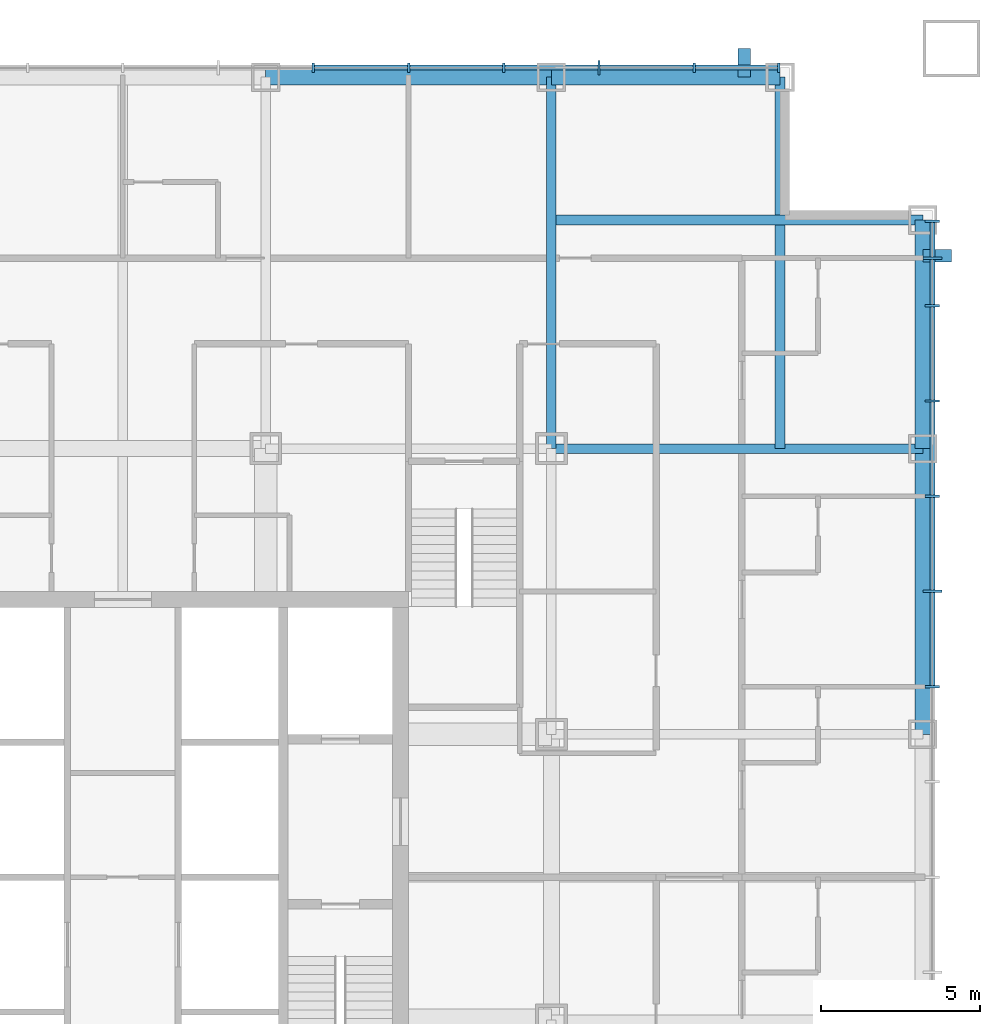
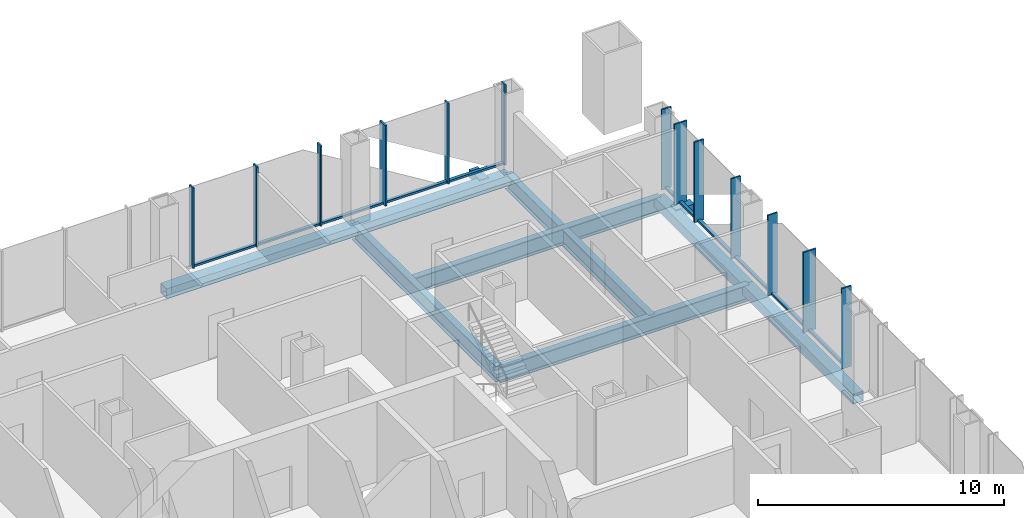
# One storey, part 5 of 13: 26 members, 8 beams, 2 elements without a shape of their own.
"""IFC4 building model written with IfcOpenShell, lengths in metres."""

from ifc_helpers import new_model, si_unit, direction, frame, origin, origin_2d, place, context, subcontext, project, spatial, rectangle, hollow_rectangle, i_section, extrude, material, layer, layer_set, material_profile, profile_set, type_object, element, aggregate, save


model = new_model("IFC4")

# Units and contexts
model_context = context("Model", 3, precision=1e-05, world=origin(), true_north=direction((0.0, 1.0)))
body_context = subcontext(model_context, "Body", "Model", "MODEL_VIEW")
ifc_project = project(units=[si_unit("LENGTHUNIT", "METRE"), si_unit("AREAUNIT", "SQUARE_METRE"), si_unit("VOLUMEUNIT", "CUBIC_METRE"), si_unit("PLANEANGLEUNIT", "RADIAN"), si_unit("MASSUNIT", "GRAM", prefix="KILO")], contexts=[model_context])

# Site, building, storey
site_placement = place(None, origin())
site = spatial("IfcSite", under=ifc_project, at=site_placement, CompositionType="ELEMENT")
building_placement = place(site_placement, origin())
building = spatial("IfcBuilding", under=site, at=building_placement, Name="Malebo Sky Hospital", CompositionType="ELEMENT")
storey_placement = place(building_placement, frame((0.0, 0.0, 35.0)))
storey = spatial("IfcBuildingStorey", under=building, at=storey_placement, Name="L07", CompositionType="ELEMENT", Elevation=35.0)

# Curtain wall, members
ifc_material_1 = material(Name="Anodised aluminium, natural silver", Category="aluminium")
ifc_layer_1 = layer(ifc_material_1, 0.25)
ifc_layer_set_1 = layer_set([ifc_layer_1], Name="WARD CURTAIN WALL NORTH AND SOUTH")
curtain_wall_type_1 = type_object("IfcCurtainWallType", Name="WARD CURTAIN WALL NORTH AND SOUTH", PredefinedType="NOTDEFINED", material=ifc_layer_set_1)
curtain_wall_1_placement = place(storey_placement, origin())
curtain_wall_1 = element("IfcCurtainWall", 1, at=curtain_wall_1_placement, inside=storey, type_object=curtain_wall_type_1, Name="NS curtain wall N", PredefinedType="NOTDEFINED")
ifc_material_profile_1 = material_profile(ifc_material_1, rectangle(XDim=0.14990234375, YDim=0.10009765625, at=origin_2d()), Name="ALUMINIUM TRANSOM 150x100")
ifc_profile_set_1 = profile_set([ifc_material_profile_1], Name="Anodised aluminium, natural silver")
member_type_1 = type_object("IfcMemberType", Name="ALUMINIUM TRANSOM 150x100", PredefinedType="USERDEFINED", material=ifc_profile_set_1)
member_1_placement = place(storey_placement, frame((66.03759765625, 87.5, 0.050048828125), z_axis=(1.0, 0.0, 0.0), x_axis=(0.0, 1.0, 0.0)))
member_1 = element("IfcMember", 2, at=member_1_placement, type_object=member_type_1, Name="Transom 11", ObjectType="TRANSOM", PredefinedType="USERDEFINED", context=body_context, shape_type="SweptSolid", body=[
    extrude(rectangle(XDim=0.14990234375, YDim=0.10009765625, at=origin_2d()), origin(), (0.0, 0.0, 1.0), 2.9248046875),
])
member_2_placement = place(storey_placement, frame((69.03759765625, 87.5, 0.050048828125), z_axis=(1.0, 0.0, 0.0), x_axis=(0.0, 1.0, 0.0)))
member_2 = element("IfcMember", 3, at=member_2_placement, type_object=member_type_1, Name="Transom 12", ObjectType="TRANSOM", PredefinedType="USERDEFINED", context=body_context, shape_type="SweptSolid", body=[
    extrude(rectangle(XDim=0.14990234375, YDim=0.10009765625, at=origin_2d()), origin(), (0.0, 0.0, 1.0), 2.9248046875),
])
member_3_placement = place(storey_placement, frame((72.03759765625, 87.5, 0.050048828125), z_axis=(1.0, 0.0, 0.0), x_axis=(0.0, 1.0, 0.0)))
member_3 = element("IfcMember", 4, at=member_3_placement, type_object=member_type_1, Name="Transom 13", ObjectType="TRANSOM", PredefinedType="USERDEFINED", context=body_context, shape_type="SweptSolid", body=[
    extrude(rectangle(XDim=0.14990234375, YDim=0.10009765625, at=origin_2d()), origin(), (0.0, 0.0, 1.0), 2.9248046875),
])
member_4_placement = place(storey_placement, frame((75.03759765625, 87.5, 0.050048828125), z_axis=(1.0, 0.0, 0.0), x_axis=(0.0, 1.0, 0.0)))
member_4 = element("IfcMember", 5, at=member_4_placement, type_object=member_type_1, Name="Transom 14", ObjectType="TRANSOM", PredefinedType="USERDEFINED", context=body_context, shape_type="SweptSolid", body=[
    extrude(rectangle(XDim=0.14990234375, YDim=0.10009765625, at=origin_2d()), origin(), (0.0, 0.0, 1.0), 2.9248046875),
])
member_5_placement = place(storey_placement, frame((78.03759765625, 87.5, 0.050048828125), z_axis=(1.0, 0.0, 0.0), x_axis=(0.0, 1.0, 0.0)))
member_5 = element("IfcMember", 6, at=member_5_placement, type_object=member_type_1, Name="Transom 15", ObjectType="TRANSOM", PredefinedType="USERDEFINED", context=body_context, shape_type="SweptSolid", body=[
    extrude(rectangle(XDim=0.14990234375, YDim=0.10009765625, at=origin_2d()), origin(), (0.0, 0.0, 1.0), 2.58740234375),
])

ifc_layer_2 = layer(ifc_material_1, 0.25)
ifc_layer_set_2 = layer_set([ifc_layer_2], Name="WARD CURTAIN WALL EAST AND WEST")
curtain_wall_type_2 = type_object("IfcCurtainWallType", Name="WARD CURTAIN WALL EAST AND WEST", PredefinedType="NOTDEFINED", material=ifc_layer_set_2)
curtain_wall_2_placement = place(storey_placement, origin())
curtain_wall_2 = element("IfcCurtainWall", 7, at=curtain_wall_2_placement, inside=storey, type_object=curtain_wall_type_2, Name="EW curtain wall E", PredefinedType="NOTDEFINED")
member_6_placement = place(storey_placement, frame((85.5, 82.625, 0.050048828125), z_axis=(0.0, -1.0, 0.0), x_axis=(1.0, 0.0, 0.0)))
member_6 = element("IfcMember", 8, at=member_6_placement, type_object=member_type_1, Name="Transom 1", ObjectType="TRANSOM", PredefinedType="USERDEFINED", context=body_context, shape_type="SweptSolid", body=[
    extrude(rectangle(XDim=0.14990234375, YDim=0.10009765625, at=origin_2d()), origin(), (0.0, 0.0, 1.0), 1.08740234375),
])
member_7_placement = place(storey_placement, frame((85.5, 81.46240234375, 0.050048828125), z_axis=(0.0, -1.0, 0.0), x_axis=(1.0, 0.0, 0.0)))
member_7 = element("IfcMember", 9, at=member_7_placement, type_object=member_type_1, Name="Transom 2", ObjectType="TRANSOM", PredefinedType="USERDEFINED", context=body_context, shape_type="SweptSolid", body=[
    extrude(rectangle(XDim=0.14990234375, YDim=0.10009765625, at=origin_2d()), origin(), (0.0, 0.0, 1.0), 1.4248046875),
])
member_8_placement = place(storey_placement, frame((85.5, 79.96240234375, 0.050048828125), z_axis=(0.0, -1.0, 0.0), x_axis=(1.0, 0.0, 0.0)))
member_8 = element("IfcMember", 10, at=member_8_placement, type_object=member_type_1, Name="Transom 3", ObjectType="TRANSOM", PredefinedType="USERDEFINED", context=body_context, shape_type="SweptSolid", body=[
    extrude(rectangle(XDim=0.14990234375, YDim=0.10009765625, at=origin_2d()), origin(), (0.0, 0.0, 1.0), 2.9248046875),
])
member_9_placement = place(storey_placement, frame((85.5, 76.96240234375, 0.050048828125), z_axis=(0.0, -1.0, 0.0), x_axis=(1.0, 0.0, 0.0)))
member_9 = element("IfcMember", 11, at=member_9_placement, type_object=member_type_1, Name="Transom 4", ObjectType="TRANSOM", PredefinedType="USERDEFINED", context=body_context, shape_type="SweptSolid", body=[
    extrude(rectangle(XDim=0.14990234375, YDim=0.10009765625, at=origin_2d()), origin(), (0.0, 0.0, 1.0), 2.9248046875),
])
member_10_placement = place(storey_placement, frame((85.5, 73.96240234375, 0.050048828125), z_axis=(0.0, -1.0, 0.0), x_axis=(1.0, 0.0, 0.0)))
member_10 = element("IfcMember", 12, at=member_10_placement, type_object=member_type_1, Name="Transom 5", ObjectType="TRANSOM", PredefinedType="USERDEFINED", context=body_context, shape_type="SweptSolid", body=[
    extrude(rectangle(XDim=0.14990234375, YDim=0.10009765625, at=origin_2d()), origin(), (0.0, 0.0, 1.0), 2.9248046875),
])
member_11_placement = place(storey_placement, frame((85.5, 70.96240234375, 0.050048828125), z_axis=(0.0, -1.0, 0.0), x_axis=(1.0, 0.0, 0.0)))
member_11 = element("IfcMember", 13, at=member_11_placement, type_object=member_type_1, Name="Transom 6", ObjectType="TRANSOM", PredefinedType="USERDEFINED", context=body_context, shape_type="SweptSolid", body=[
    extrude(rectangle(XDim=0.14990234375, YDim=0.10009765625, at=origin_2d()), origin(), (0.0, 0.0, 1.0), 2.9248046875),
])

# Members
ifc_material_2 = material(Name="Steel S355", Category="steel")
ifc_material_profile_2 = material_profile(ifc_material_2, hollow_rectangle(XDim=0.39990234375, YDim=0.39990234375, WallThickness=0.02001953125, at=origin_2d()), Name="SHS 400x20")
ifc_profile_set_2 = profile_set([ifc_material_profile_2], Name="Steel S355")
member_type_2 = type_object("IfcMemberType", Name="BRACE STRUT SHS 400x20", PredefinedType="STRUT", material=ifc_profile_set_2)
for number, where, z_axis, x_axis, name in (
    (14, (79.574951171875, 88.10009765625, -0.39990234375), (0.0, -1.0, 0.0), (1.0, 0.0, 0.0), "Brace strut AN1 L07"),
    (15, (86.10009765625, 81.574951171875, -0.39990234375), (-1.0, 0.0, 0.0), (0.0, -1.0, 0.0), "Brace strut AE2 L07"),
):
    element("IfcMember", number, at=place(storey_placement, frame(where, z_axis=z_axis, x_axis=x_axis)), inside=storey, type_object=member_type_2, Name=name, PredefinedType="STRUT", context=body_context, shape_type="SweptSolid", body=[
        extrude(hollow_rectangle(XDim=0.39990234375, YDim=0.39990234375, WallThickness=0.02001953125, at=origin_2d()), origin(), (0.0, 0.0, 1.0), 0.900146484375),
    ])

# Member
ifc_material_profile_3 = material_profile(ifc_material_1, rectangle(XDim=0.074951171875, YDim=0.300048828125, at=origin_2d()), Name="CW1 ALUMINIUM FIN MULLION 75x300")
ifc_profile_set_3 = profile_set([ifc_material_profile_3], Name="Anodised aluminium, natural silver")
member_type_3 = type_object("IfcMemberType", Name="CW1 ALUMINIUM FIN MULLION 75x300", PredefinedType="MULLION", material=ifc_profile_set_3)
member_12_placement = place(storey_placement, frame((66.0, 87.5, 0.0), z_axis=(0.0, 0.0, 1.0), x_axis=(1.0, 0.0, 0.0)))
member_12 = element("IfcMember", 16, at=member_12_placement, type_object=member_type_3, Name="Fin mullion 11", PredefinedType="MULLION", context=body_context, shape_type="SweptSolid", body=[
    extrude(rectangle(XDim=0.074951171875, YDim=0.300048828125, at=origin_2d()), origin(), (0.0, 0.0, 1.0), 4.0),
])

member_13_placement = place(storey_placement, frame((69.0, 87.5, 0.0), z_axis=(0.0, 0.0, 1.0), x_axis=(1.0, 0.0, 0.0)))
member_13 = element("IfcMember", 17, at=member_13_placement, type_object=member_type_3, Name="Fin mullion 12", PredefinedType="MULLION", context=body_context, shape_type="SweptSolid", body=[
    extrude(rectangle(XDim=0.074951171875, YDim=0.300048828125, at=origin_2d()), origin(), (0.0, 0.0, 1.0), 4.0),
])

member_14_placement = place(storey_placement, frame((72.0, 87.5, 0.0), z_axis=(0.0, 0.0, 1.0), x_axis=(1.0, 0.0, 0.0)))
member_14 = element("IfcMember", 18, at=member_14_placement, type_object=member_type_3, Name="Fin mullion 13", PredefinedType="MULLION", context=body_context, shape_type="SweptSolid", body=[
    extrude(rectangle(XDim=0.074951171875, YDim=0.300048828125, at=origin_2d()), origin(), (0.0, 0.0, 1.0), 4.0),
])

member_15_placement = place(storey_placement, frame((78.0, 87.5, 0.0), z_axis=(0.0, 0.0, 1.0), x_axis=(1.0, 0.0, 0.0)))
member_15 = element("IfcMember", 19, at=member_15_placement, type_object=member_type_3, Name="Fin mullion 15", PredefinedType="MULLION", context=body_context, shape_type="SweptSolid", body=[
    extrude(rectangle(XDim=0.074951171875, YDim=0.300048828125, at=origin_2d()), origin(), (0.0, 0.0, 1.0), 4.0),
])

member_16_placement = place(storey_placement, frame((80.66259765625, 87.5, 0.0), z_axis=(0.0, 0.0, 1.0), x_axis=(1.0, 0.0, 0.0)))
member_16 = element("IfcMember", 20, at=member_16_placement, type_object=member_type_3, Name="Fin mullion 16", PredefinedType="MULLION", context=body_context, shape_type="SweptSolid", body=[
    extrude(rectangle(XDim=0.074951171875, YDim=0.300048828125, at=origin_2d()), origin(), (0.0, 0.0, 1.0), 4.0),
])

ifc_material_profile_4 = material_profile(ifc_material_1, rectangle(XDim=0.074951171875, YDim=0.449951171875, at=origin_2d()), Name="CW1 ALUMINIUM FIN MULLION 75x450")
ifc_profile_set_4 = profile_set([ifc_material_profile_4], Name="Anodised aluminium, natural silver")
member_type_4 = type_object("IfcMemberType", Name="CW1 ALUMINIUM FIN MULLION 75x450", PredefinedType="MULLION", material=ifc_profile_set_4)
member_17_placement = place(storey_placement, frame((75.0, 87.5, 0.0), z_axis=(0.0, 0.0, 1.0), x_axis=(1.0, 0.0, 0.0)))
member_17 = element("IfcMember", 21, at=member_17_placement, type_object=member_type_4, Name="Fin mullion 14", PredefinedType="MULLION", context=body_context, shape_type="SweptSolid", body=[
    extrude(rectangle(XDim=0.074951171875, YDim=0.449951171875, at=origin_2d()), origin(), (0.0, 0.0, 1.0), 4.0),
])

aggregate(curtain_wall_1, [member_12, member_13, member_14, member_17, member_15, member_16, member_1, member_2, member_3, member_4, member_5])

ifc_material_profile_5 = material_profile(ifc_material_1, rectangle(XDim=0.074951171875, YDim=0.449951171875, at=origin_2d()), Name="CW2 ALUMINIUM FIN MULLION 75x450")
ifc_profile_set_5 = profile_set([ifc_material_profile_5], Name="Anodised aluminium, natural silver")
member_type_5 = type_object("IfcMemberType", Name="CW2 ALUMINIUM FIN MULLION 75x450", PredefinedType="MULLION", material=ifc_profile_set_5)
member_18_placement = place(storey_placement, frame((85.5, 82.66259765625, 0.0), z_axis=(0.0, 0.0, 1.0), x_axis=(0.0, -1.0, 0.0)))
member_18 = element("IfcMember", 22, at=member_18_placement, type_object=member_type_5, Name="Fin mullion 1", PredefinedType="MULLION", context=body_context, shape_type="SweptSolid", body=[
    extrude(rectangle(XDim=0.074951171875, YDim=0.449951171875, at=origin_2d()), origin(), (0.0, 0.0, 1.0), 4.0),
])

member_19_placement = place(storey_placement, frame((85.5, 80.0, 0.0), z_axis=(0.0, 0.0, 1.0), x_axis=(0.0, -1.0, 0.0)))
member_19 = element("IfcMember", 23, at=member_19_placement, type_object=member_type_5, Name="Fin mullion 3", PredefinedType="MULLION", context=body_context, shape_type="SweptSolid", body=[
    extrude(rectangle(XDim=0.074951171875, YDim=0.449951171875, at=origin_2d()), origin(), (0.0, 0.0, 1.0), 4.0),
])

member_20_placement = place(storey_placement, frame((85.5, 77.0, 0.0), z_axis=(0.0, 0.0, 1.0), x_axis=(0.0, -1.0, 0.0)))
member_20 = element("IfcMember", 24, at=member_20_placement, type_object=member_type_5, Name="Fin mullion 4", PredefinedType="MULLION", context=body_context, shape_type="SweptSolid", body=[
    extrude(rectangle(XDim=0.074951171875, YDim=0.449951171875, at=origin_2d()), origin(), (0.0, 0.0, 1.0), 4.0),
])

member_21_placement = place(storey_placement, frame((85.5, 74.0, 0.0), z_axis=(0.0, 0.0, 1.0), x_axis=(0.0, -1.0, 0.0)))
member_21 = element("IfcMember", 25, at=member_21_placement, type_object=member_type_5, Name="Fin mullion 5", PredefinedType="MULLION", context=body_context, shape_type="SweptSolid", body=[
    extrude(rectangle(XDim=0.074951171875, YDim=0.449951171875, at=origin_2d()), origin(), (0.0, 0.0, 1.0), 4.0),
])

member_22_placement = place(storey_placement, frame((85.5, 68.0, 0.0), z_axis=(0.0, 0.0, 1.0), x_axis=(0.0, -1.0, 0.0)))
member_22 = element("IfcMember", 26, at=member_22_placement, type_object=member_type_5, Name="Fin mullion 7", PredefinedType="MULLION", context=body_context, shape_type="SweptSolid", body=[
    extrude(rectangle(XDim=0.074951171875, YDim=0.449951171875, at=origin_2d()), origin(), (0.0, 0.0, 1.0), 4.0),
])

ifc_material_profile_6 = material_profile(ifc_material_1, rectangle(XDim=0.074951171875, YDim=0.60009765625, at=origin_2d()), Name="CW2 ALUMINIUM FIN MULLION 75x600")
ifc_profile_set_6 = profile_set([ifc_material_profile_6], Name="Anodised aluminium, natural silver")
member_type_6 = type_object("IfcMemberType", Name="CW2 ALUMINIUM FIN MULLION 75x600", PredefinedType="MULLION", material=ifc_profile_set_6)
member_23_placement = place(storey_placement, frame((85.5, 81.5, 0.0), z_axis=(0.0, 0.0, 1.0), x_axis=(0.0, -1.0, 0.0)))
member_23 = element("IfcMember", 27, at=member_23_placement, type_object=member_type_6, Name="Fin mullion 2", PredefinedType="MULLION", context=body_context, shape_type="SweptSolid", body=[
    extrude(rectangle(XDim=0.074951171875, YDim=0.60009765625, at=origin_2d()), origin(), (0.0, 0.0, 1.0), 4.0),
])

member_24_placement = place(storey_placement, frame((85.5, 71.0, 0.0), z_axis=(0.0, 0.0, 1.0), x_axis=(0.0, -1.0, 0.0)))
member_24 = element("IfcMember", 28, at=member_24_placement, type_object=member_type_6, Name="Fin mullion 6", PredefinedType="MULLION", context=body_context, shape_type="SweptSolid", body=[
    extrude(rectangle(XDim=0.074951171875, YDim=0.60009765625, at=origin_2d()), origin(), (0.0, 0.0, 1.0), 4.0),
])

aggregate(curtain_wall_2, [member_18, member_23, member_19, member_20, member_21, member_24, member_22, member_6, member_7, member_8, member_9, member_10, member_11])

# Beams
ifc_material_3 = material(Name="Steel S460", Category="steel")
ifc_material_profile_7 = material_profile(ifc_material_3, hollow_rectangle(XDim=0.5, YDim=0.5, WallThickness=0.030029296875, at=origin_2d()), Name="BOX 500x500x30")
ifc_profile_set_7 = profile_set([ifc_material_profile_7], Name="Steel S460")
beam_type_1 = type_object("IfcBeamType", Name="EDGE BEAM BOX 500x500x30", PredefinedType="BEAM", material=ifc_profile_set_7)
beam_1_placement = place(storey_placement, frame((85.199951171875, 66.5, -0.5), z_axis=(0.0, 1.0, 0.0), x_axis=(-1.0, 0.0, 0.0)))
element("IfcBeam", 29, at=beam_1_placement, inside=storey, type_object=beam_type_1, Name="Beam 032 L07", PredefinedType="BEAM", context=body_context, shape_type="SweptSolid", body=[
    extrude(hollow_rectangle(XDim=0.5, YDim=0.5, WallThickness=0.030029296875, at=origin_2d()), origin(), (0.0, 0.0, 1.0), 9.0),
])
beam_2_placement = place(storey_placement, frame((85.199951171875, 75.5, -0.5), z_axis=(0.0, 1.0, 0.0), x_axis=(-1.0, 0.0, 0.0)))
element("IfcBeam", 30, at=beam_2_placement, inside=storey, type_object=beam_type_1, Name="Beam 033 L07", PredefinedType="BEAM", context=body_context, shape_type="SweptSolid", body=[
    extrude(hollow_rectangle(XDim=0.5, YDim=0.5, WallThickness=0.030029296875, at=origin_2d()), origin(), (0.0, 0.0, 1.0), 7.199951171875),
])
beam_3_placement = place(storey_placement, frame((64.5, 87.199951171875, -0.5), z_axis=(1.0, 0.0, 0.0), x_axis=(0.0, 1.0, 0.0)))
element("IfcBeam", 31, at=beam_3_placement, inside=storey, type_object=beam_type_1, Name="Beam 066 L07", PredefinedType="BEAM", context=body_context, shape_type="SweptSolid", body=[
    extrude(hollow_rectangle(XDim=0.5, YDim=0.5, WallThickness=0.030029296875, at=origin_2d()), origin(), (0.0, 0.0, 1.0), 9.0),
])
beam_4_placement = place(storey_placement, frame((73.5, 87.199951171875, -0.5), z_axis=(1.0, 0.0, 0.0), x_axis=(0.0, 1.0, 0.0)))
element("IfcBeam", 32, at=beam_4_placement, inside=storey, type_object=beam_type_1, Name="Beam 067 L07", PredefinedType="BEAM", context=body_context, shape_type="SweptSolid", body=[
    extrude(hollow_rectangle(XDim=0.5, YDim=0.5, WallThickness=0.030029296875, at=origin_2d()), origin(), (0.0, 0.0, 1.0), 7.199951171875),
])
ifc_material_profile_8 = material_profile(ifc_material_2, i_section(OverallWidth=0.300048828125, OverallDepth=0.800048828125, WebThickness=0.017578125, FlangeThickness=0.032958984375, FilletRadius=0.030029296875, at=origin_2d()), Name="HEB 800")
ifc_profile_set_8 = profile_set([ifc_material_profile_8], Name="Steel S355")
beam_type_2 = type_object("IfcBeamType", Name="FLOOR BEAM HEB 800", PredefinedType="BEAM", material=ifc_profile_set_8)
for number, where, z_axis, x_axis, name in (
    (33, (80.699951171875, 75.5, -0.64990234375), (0.0, 1.0, 0.0), (-1.0, 0.0, 0.0), "Beam 028 L07"),
    (34, (73.5, 82.699951171875, -0.64990234375), (1.0, 0.0, 0.0), (0.0, 1.0, 0.0), "Beam 062 L07"),
):
    element("IfcBeam", number, at=place(storey_placement, frame(where, z_axis=z_axis, x_axis=x_axis)), inside=storey, type_object=beam_type_2, Name=name, PredefinedType="BEAM", context=body_context, shape_type="SweptSolid", body=[
        extrude(i_section(OverallWidth=0.300048828125, OverallDepth=0.800048828125, WebThickness=0.017578125, FlangeThickness=0.032958984375, FilletRadius=0.030029296875, at=origin_2d()), origin(), (0.0, 0.0, 1.0), 11.699951171875),
    ])
ifc_material_profile_9 = material_profile(ifc_material_2, i_section(OverallWidth=0.300048828125, OverallDepth=0.800048828125, WebThickness=0.017578125, FlangeThickness=0.032958984375, FilletRadius=0.030029296875, at=origin_2d()), Name="HEB 800")
ifc_profile_set_9 = profile_set([ifc_material_profile_9], Name="Steel S355")
beam_type_3 = type_object("IfcBeamType", Name="FLOOR GIRDER HEB 800", PredefinedType="BEAM", material=ifc_profile_set_9)
for number, where, z_axis, x_axis, name in (
    (35, (73.5, 75.5, -0.64990234375), (0.0, 1.0, 0.0), (-1.0, 0.0, 0.0), "Beam 026 L07"),
    (36, (73.5, 75.5, -0.64990234375), (1.0, 0.0, 0.0), (0.0, 1.0, 0.0), "Beam 060 L07"),
):
    element("IfcBeam", number, at=place(storey_placement, frame(where, z_axis=z_axis, x_axis=x_axis)), inside=storey, type_object=beam_type_3, Name=name, PredefinedType="BEAM", context=body_context, shape_type="SweptSolid", body=[
        extrude(i_section(OverallWidth=0.300048828125, OverallDepth=0.800048828125, WebThickness=0.017578125, FlangeThickness=0.032958984375, FilletRadius=0.030029296875, at=origin_2d()), origin(), (0.0, 0.0, 1.0), 11.699951171875),
    ])

save(model, "model.ifc")
